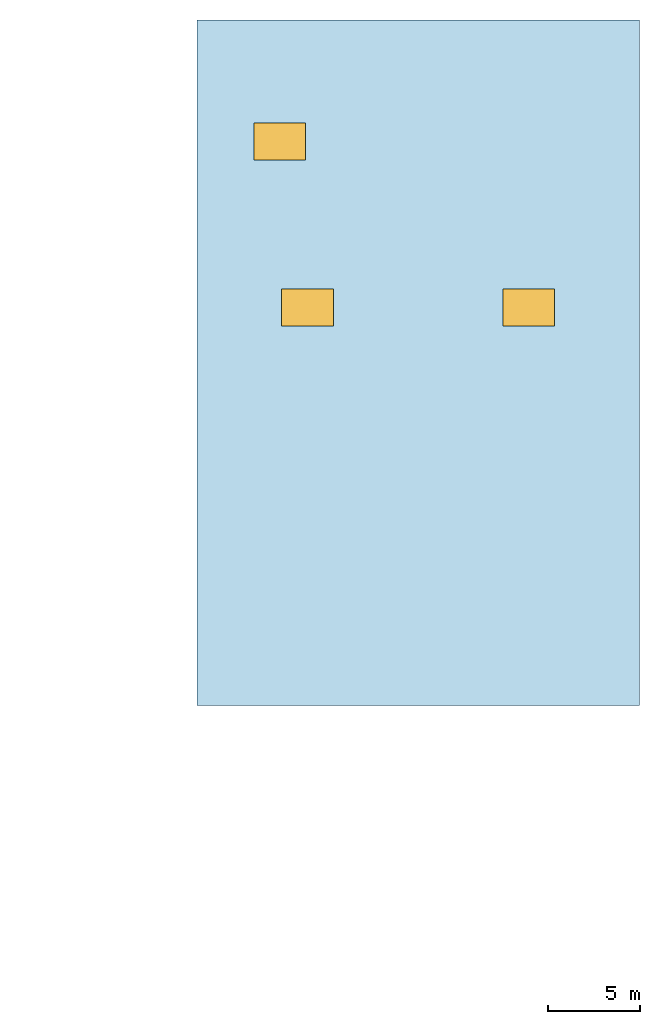
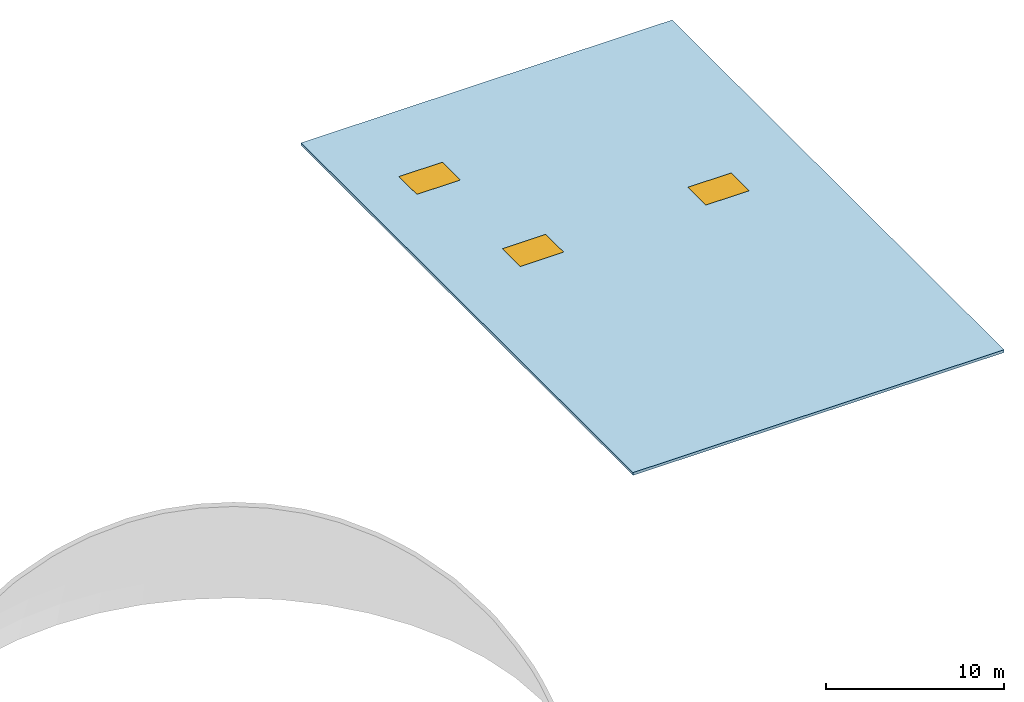
# One storey, incomplete: 3 windows, 1 slab, 3 openings.
"""IFC4 building model written with IfcOpenShell, lengths in metres."""

from ifc_helpers import new_model, si_unit, direction, frame, origin, origin_2d, place, context, subcontext, project, spatial, polyline, rectangle, outline, extrude, material, layer, layer_set, type_object, element, fill, save


model = new_model("IFC4")

# Units and contexts
model_context = context("Model", 3, precision=1e-05, world=origin(), true_north=direction((0.0, 1.0)))
body_context = subcontext(model_context, "Body", "Model", "MODEL_VIEW")
ifc_project = project(units=[si_unit("LENGTHUNIT", "METRE"), si_unit("AREAUNIT", "SQUARE_METRE"), si_unit("VOLUMEUNIT", "CUBIC_METRE"), si_unit("PLANEANGLEUNIT", "RADIAN"), si_unit("MASSUNIT", "GRAM", prefix="KILO")], contexts=[model_context])

# Site, building, storey
site_placement = place(None, origin())
site = spatial("IfcSite", under=ifc_project, at=site_placement, CompositionType="ELEMENT")
building_placement = place(site_placement, origin())
building = spatial("IfcBuilding", under=site, at=building_placement, Name="Mirzam Square Science Centre", CompositionType="ELEMENT")
storey_placement = place(building_placement, frame((0.0, 0.0, 29.800048828125)))
storey = spatial("IfcBuildingStorey", under=building, at=storey_placement, Name="RF", CompositionType="ELEMENT", Elevation=29.800048828125)

# Slab, openings, windows
ifc_material_1 = material(Name="Cool-Roof Concrete Slab C40/50", Category="concrete")
ifc_layer = layer(ifc_material_1, 0.18994140625)
ifc_layer_set = layer_set([ifc_layer], Name="SL-OBS-ROOF-190")
slab_type = type_object("IfcSlabType", Name="SL-OBS-ROOF-190", PredefinedType="ROOF", material=ifc_layer_set)
slab_placement = place(storey_placement, frame((0.0, 0.0, -0.18994140625)))
slab = element("IfcSlab", 1, at=slab_placement, inside=storey, type_object=slab_type, Name="Observatory pavilion cool-roof slab", PredefinedType="ROOF", context=body_context, shape_type="SweptSolid", body=[
    extrude(outline(polyline([(114.0, 74.39990234375), (138.0, 74.39990234375), (138.0, 111.60009765625), (114.0, 111.60009765625), (114.0, 74.39990234375)])), origin(), (0.0, 0.0, 1.0), 0.18994140625),
])
opening_1_placement = place(slab_placement, frame((120.0, 96.0, -0.010009765625)))
opening_1 = element("IfcOpeningElement", 2, at=opening_1_placement, cuts=slab, Name="Opening SK-04", PredefinedType="OPENING", context=body_context, shape_type="SweptSolid", body=[
    extrude(rectangle(XDim=2.800048828125, YDim=2.0, at=origin_2d()), origin(), (0.0, 0.0, 1.0), 0.2099609375),
])
opening_2_placement = place(slab_placement, frame((132.0, 96.0, -0.010009765625)))
opening_2 = element("IfcOpeningElement", 3, at=opening_2_placement, cuts=slab, Name="Opening SK-04", PredefinedType="OPENING", context=body_context, shape_type="SweptSolid", body=[
    extrude(rectangle(XDim=2.800048828125, YDim=2.0, at=origin_2d()), origin(), (0.0, 0.0, 1.0), 0.2099609375),
])
opening_3_placement = place(slab_placement, frame((118.5, 105.0, -0.010009765625)))
opening_3 = element("IfcOpeningElement", 4, at=opening_3_placement, cuts=slab, Name="Opening SK-04", PredefinedType="OPENING", context=body_context, shape_type="SweptSolid", body=[
    extrude(rectangle(XDim=2.800048828125, YDim=2.0, at=origin_2d()), origin(), (0.0, 0.0, 1.0), 0.2099609375),
])
ifc_material_2 = material(Name="Shaded Triple-Glazed Low-E Skylight Glass", Category="glass")
window_type = type_object("IfcWindowType", Name="SKY-2800x2000", PartitioningType="SINGLE_PANEL", PredefinedType="SKYLIGHT", material=ifc_material_2)
window_1_placement = place(slab_placement, frame((120.0, 96.0, 0.139892578125)))
window_1 = element("IfcWindow", 5, at=window_1_placement, inside=storey, type_object=window_type, Name="RF shaded gallery skylight 08", OverallHeight=2.0, OverallWidth=2.800048828125, PartitioningType="SINGLE_PANEL", PredefinedType="SKYLIGHT", context=body_context, shape_type="SweptSolid", body=[
    extrude(rectangle(XDim=2.800048828125, YDim=2.0, at=origin_2d()), origin(), (0.0, 0.0, 1.0), 0.050048828125),
])
fill(opening_1, window_1)
window_2_placement = place(slab_placement, frame((132.0, 96.0, 0.139892578125)))
window_2 = element("IfcWindow", 6, at=window_2_placement, inside=storey, type_object=window_type, Name="RF shaded gallery skylight 09", OverallHeight=2.0, OverallWidth=2.800048828125, PartitioningType="SINGLE_PANEL", PredefinedType="SKYLIGHT", context=body_context, shape_type="SweptSolid", body=[
    extrude(rectangle(XDim=2.800048828125, YDim=2.0, at=origin_2d()), origin(), (0.0, 0.0, 1.0), 0.050048828125),
])
fill(opening_2, window_2)
window_3_placement = place(slab_placement, frame((118.5, 105.0, 0.139892578125)))
window_3 = element("IfcWindow", 7, at=window_3_placement, inside=storey, type_object=window_type, Name="RF shaded gallery skylight 10", OverallHeight=2.0, OverallWidth=2.800048828125, PartitioningType="SINGLE_PANEL", PredefinedType="SKYLIGHT", context=body_context, shape_type="SweptSolid", body=[
    extrude(rectangle(XDim=2.800048828125, YDim=2.0, at=origin_2d()), origin(), (0.0, 0.0, 1.0), 0.050048828125),
])
fill(opening_3, window_3)

save(model, "model.ifc")
